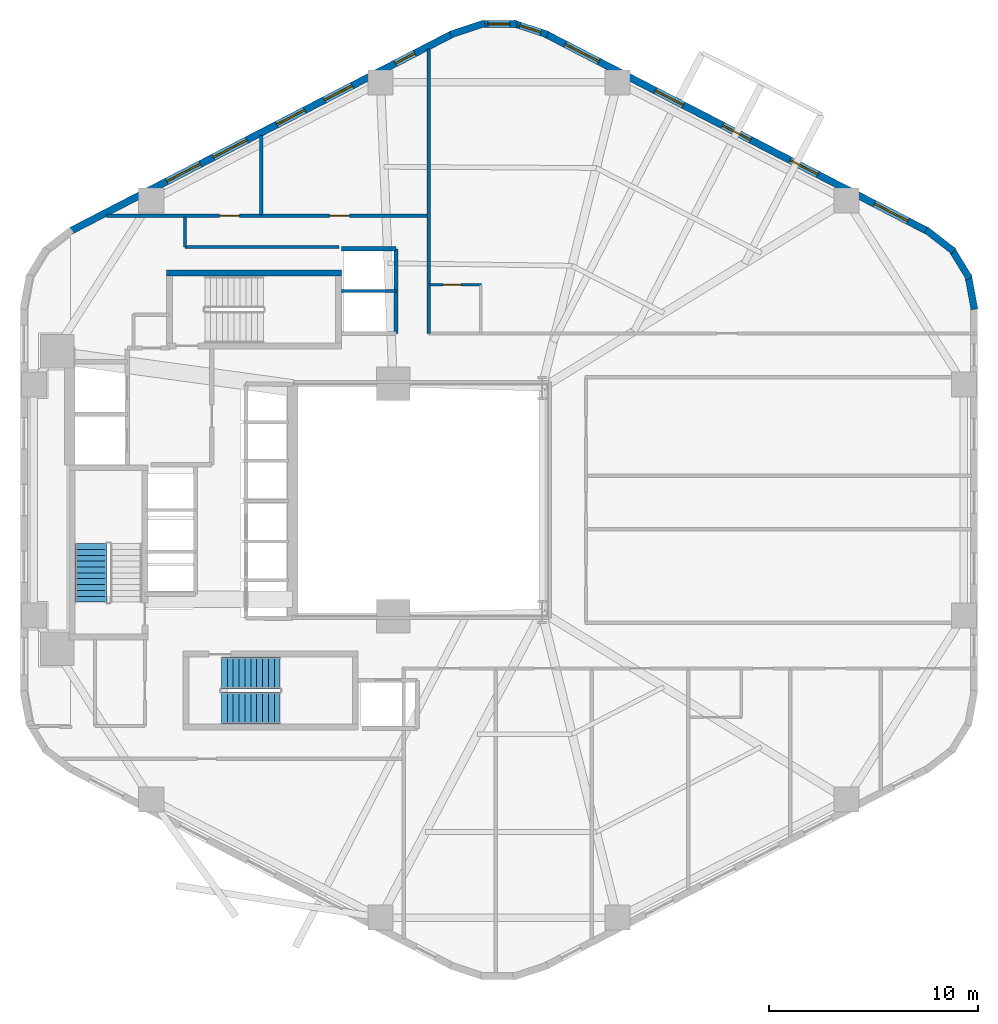
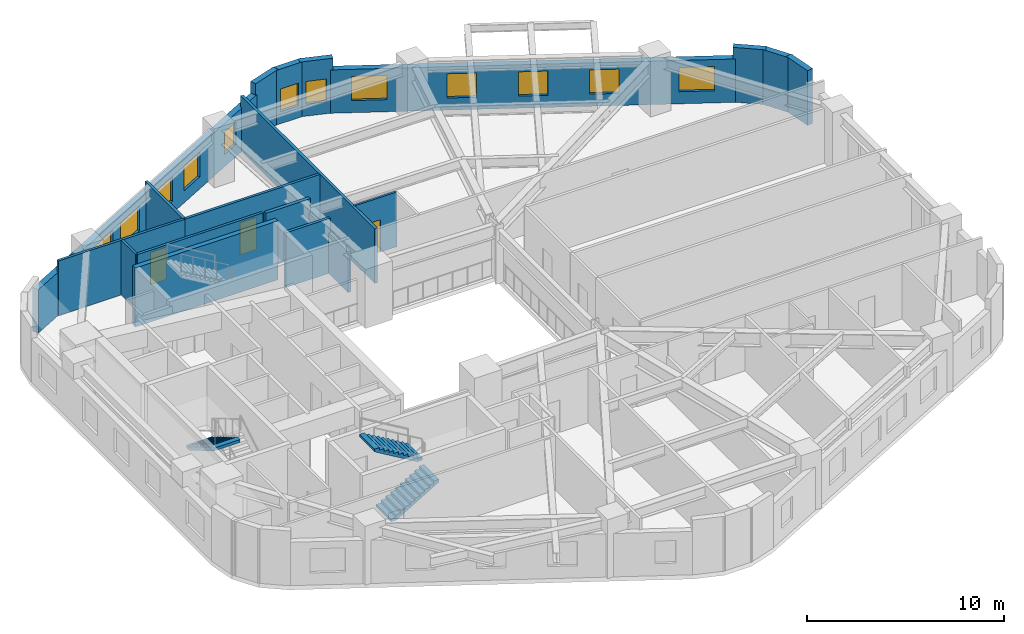
# One storey, part 5 of 7: 19 walls, 12 windows, 3 doors, 3 stair flights, 15 openings, 2 elements without a shape of their own.
"""IFC4 building model written with IfcOpenShell, lengths in metres."""

from ifc_helpers import new_model, si_unit, direction, frame, frame_2d, origin, place, context, subcontext, project, spatial, polyline, rectangle, outline, extrude, material, layer, layer_set, type_object, element, fill, aggregate, save


model = new_model("IFC4")

# Units and contexts
model_context = context("Model", 3, precision=1e-05, world=origin(), true_north=direction((0.0, 1.0)))
body_context = subcontext(model_context, "Body", "Model", "MODEL_VIEW")
ifc_project = project(units=[si_unit("LENGTHUNIT", "METRE"), si_unit("AREAUNIT", "SQUARE_METRE"), si_unit("VOLUMEUNIT", "CUBIC_METRE"), si_unit("PLANEANGLEUNIT", "RADIAN"), si_unit("MASSUNIT", "GRAM", prefix="KILO"), si_unit("THERMODYNAMICTEMPERATUREUNIT", "KELVIN"), si_unit("POWERUNIT", "WATT")], contexts=[model_context])

# Site, building, storey
site_placement = place(None, origin())
site = spatial("IfcSite", under=ifc_project, at=site_placement, CompositionType="ELEMENT")
building_placement = place(site_placement, origin())
building = spatial("IfcBuilding", under=site, at=building_placement, Name="Skarre Station Tower", CompositionType="ELEMENT")
storey_placement = place(building_placement, frame((0.0, 0.0, 78.10009765625)))
storey = spatial("IfcBuildingStorey", under=building, at=storey_placement, Name="L20", CompositionType="ELEMENT", Elevation=78.10009765625)

# Wall, opening, door
ifc_material_1 = material(Name="Acoustic Steel-Stud Gypsum Partition", Category="steel")
ifc_layer_1 = layer(ifc_material_1, 0.14990234375, Name="Acoustic Steel-Stud Gypsum Partition")
ifc_layer_set_1 = layer_set([ifc_layer_1], Name="Acoustic Steel-Stud Gypsum Partition")
wall_type_1 = type_object("IfcWallType", Name="Fire-Rated Corridor Acoustic Partition 150", PredefinedType="PARTITIONING", material=ifc_layer_set_1)
wall_1_placement = place(storey_placement, frame((26.048095703125, 37.580078125, 0.0), z_axis=(0.0, 0.0, 1.0), x_axis=(-1.0, 0.0, 0.0)))
wall_1 = element("IfcWall", 1, at=wall_1_placement, inside=storey, type_object=wall_type_1, Name="L20 Interior Partition WL-PT-L20-NWW1-CW", PredefinedType="PARTITIONING", context=body_context, shape_type="SweptSolid", body=[
    extrude(rectangle(XDim=7.398193359375, YDim=0.14990234375, at=frame_2d((3.69921875, 0.0))), origin(), (0.0, 0.0, 1.0), 3.389892578125),
])
opening_1_placement = place(wall_1_placement, frame((1.035888671875, 0.0, 0.0)))
opening_1 = element("IfcOpeningElement", 2, at=opening_1_placement, cuts=wall_1, Name="Opening DR-FD60", PredefinedType="OPENING", context=body_context, shape_type="SweptSolid", body=[
    extrude(rectangle(XDim=0.9599609375, YDim=2.0, at=frame_2d((0.47998046875, 1.0))), frame((0.0, 0.0849609375, 0.0), z_axis=(0.0, -1.0, 0.0), x_axis=(1.0, 0.0, 0.0)), (0.0, 0.0, 1.0), 0.169921875),
])
ifc_material_2 = material(Name="Nordic White-Oak Veneer Solid-Core Fire Leaf", Category="wood")
door_type_1 = type_object("IfcDoorType", Name="Corridor Suite Entry Fire Door FD60 960x2150", OperationType="SINGLE_SWING_LEFT", PredefinedType="DOOR", material=ifc_material_2)
door_1_placement = place(opening_1_placement, origin())
door_1 = element("IfcDoor", 3, at=door_1_placement, inside=storey, type_object=door_type_1, Name="L20 NWW1 Entry Door", OperationType="SINGLE_SWING_LEFT", OverallHeight=2.0, OverallWidth=0.9599609375, PredefinedType="DOOR", context=body_context, shape_type="SweptSolid", body=[
    extrude(rectangle(XDim=0.9599609375, YDim=2.0, at=frame_2d((0.47998046875, 1.0))), frame((0.0, 0.02490234375, 0.0), z_axis=(0.0, -1.0, 0.0), x_axis=(1.0, 0.0, 0.0)), (0.0, 0.0, 1.0), 0.050048828125),
])
fill(opening_1, door_1)

wall_2_placement = place(storey_placement, frame((33.9619140625, 37.580078125, 0.0), z_axis=(0.0, 0.0, 1.0), x_axis=(-1.0, 0.0, 0.0)))
wall_2 = element("IfcWall", 4, at=wall_2_placement, inside=storey, type_object=wall_type_1, Name="L20 Interior Partition WL-PT-L20-NWW2-CW", PredefinedType="PARTITIONING", context=body_context, shape_type="SweptSolid", body=[
    extrude(rectangle(XDim=7.90380859375, YDim=0.14990234375, at=frame_2d((3.951904296875, 0.0))), origin(), (0.0, 0.0, 1.0), 3.389892578125),
])
opening_2_placement = place(wall_2_placement, frame((3.697021484375, 0.0, 0.0)))
opening_2 = element("IfcOpeningElement", 5, at=opening_2_placement, cuts=wall_2, Name="Opening DR-FD60", PredefinedType="OPENING", context=body_context, shape_type="SweptSolid", body=[
    extrude(rectangle(XDim=0.9599609375, YDim=2.0, at=frame_2d((0.47998046875, 1.0))), frame((0.0, 0.0849609375, 0.0), z_axis=(0.0, -1.0, 0.0), x_axis=(1.0, 0.0, 0.0)), (0.0, 0.0, 1.0), 0.169921875),
])
door_2_placement = place(opening_2_placement, origin())
door_2 = element("IfcDoor", 6, at=door_2_placement, inside=storey, type_object=door_type_1, Name="L20 NWW2 Entry Door", OperationType="SINGLE_SWING_LEFT", OverallHeight=2.0, OverallWidth=0.9599609375, PredefinedType="DOOR", context=body_context, shape_type="SweptSolid", body=[
    extrude(rectangle(XDim=0.9599609375, YDim=2.0, at=frame_2d((0.47998046875, 1.0))), frame((0.0, 0.02490234375, 0.0), z_axis=(0.0, -1.0, 0.0), x_axis=(1.0, 0.0, 0.0)), (0.0, 0.0, 1.0), 0.050048828125),
])
fill(opening_2, door_2)

# Walls
wall_3_placement = place(storey_placement, frame((29.7529296875, 36.080078125, 0.0), z_axis=(0.0, 0.0, 1.0), x_axis=(-1.0, 0.0, 0.0)))
element("IfcWall", 7, at=wall_3_placement, inside=storey, type_object=wall_type_1, Name="L20 Interior Partition WL-PT-L20-CSEAL-1", PredefinedType="PARTITIONING", context=body_context, shape_type="SweptSolid", body=[
    extrude(rectangle(XDim=7.35302734375, YDim=0.14990234375, at=frame_2d((3.676513671875, 0.0))), origin(), (0.0, 0.0, 1.0), 3.389892578125),
])
wall_4_placement = place(storey_placement, frame((22.39990234375, 36.080078125, 0.0), z_axis=(0.0, 0.0, 1.0), x_axis=(0.0, 1.0, 0.0)))
element("IfcWall", 8, at=wall_4_placement, inside=storey, type_object=wall_type_1, Name="L20 Interior Partition WL-PT-L20-CSEAL-2", PredefinedType="PARTITIONING", context=body_context, shape_type="SweptSolid", body=[
    extrude(rectangle(XDim=1.429931640625, YDim=0.14990234375, at=frame_2d((0.71484375, 0.0))), origin(), (0.0, 0.0, 1.0), 3.389892578125),
])

# Wall, opening, door
ifc_material_3 = material(Name="Insulated Timber-Stud Gypsum Partition", Category="wood")
ifc_layer_2 = layer(ifc_material_3, 0.1201171875, Name="Insulated Timber-Stud Gypsum Partition")
ifc_layer_set_2 = layer_set([ifc_layer_2], Name="Insulated Timber-Stud Gypsum Partition")
wall_type_2 = type_object("IfcWallType", Name="Internal Suite Acoustic Partition 120", PredefinedType="PARTITIONING", material=ifc_layer_set_2)
wall_5_placement = place(storey_placement, frame((34.080078125, 34.280029296875, 0.0), z_axis=(0.0, 0.0, 1.0), x_axis=(1.0, 0.0, 0.0)))
wall_5 = element("IfcWall", 9, at=wall_5_placement, inside=storey, type_object=wall_type_2, Name="L20 Interior Partition WL-PT-L20-NW1-SA1", PredefinedType="PARTITIONING", context=body_context, shape_type="SweptSolid", body=[
    extrude(rectangle(XDim=2.47998046875, YDim=0.1201171875, at=frame_2d((1.239990234375, 0.0))), origin(), (0.0, 0.0, 1.0), 3.389892578125),
])
opening_3_placement = place(wall_5_placement, frame((0.64990234375, 0.0, 0.0)))
opening_3 = element("IfcOpeningElement", 10, at=opening_3_placement, cuts=wall_5, Name="Opening DR-INT86", PredefinedType="OPENING", context=body_context, shape_type="SweptSolid", body=[
    extrude(rectangle(XDim=0.860107421875, YDim=2.0, at=frame_2d((0.43017578125, 1.0))), frame((0.0, 0.070068359375, 0.0), z_axis=(0.0, -1.0, 0.0), x_axis=(1.0, 0.0, 0.0)), (0.0, 0.0, 1.0), 0.14013671875),
])
ifc_material_4 = material(Name="Nordic Birch Acoustic Solid-Core Timber Leaf", Category="wood")
door_type_2 = type_object("IfcDoorType", Name="Internal En-Suite & Bedroom Door 860x2100", OperationType="SINGLE_SWING_LEFT", PredefinedType="DOOR", material=ifc_material_4)
door_3_placement = place(opening_3_placement, origin())
door_3 = element("IfcDoor", 11, at=door_3_placement, inside=storey, type_object=door_type_2, Name="L20 NW1 Alcove Store Door", OperationType="SINGLE_SWING_LEFT", OverallHeight=2.0, OverallWidth=0.860107421875, PredefinedType="DOOR", context=body_context, shape_type="SweptSolid", body=[
    extrude(rectangle(XDim=0.860107421875, YDim=2.0, at=frame_2d((0.43017578125, 1.0))), frame((0.0, 0.02490234375, 0.0), z_axis=(0.0, -1.0, 0.0), x_axis=(1.0, 0.0, 0.0)), (0.0, 0.0, 1.0), 0.050048828125),
])
fill(opening_3, door_3)

# Wall, openings, windows
ifc_material_5 = material(Name="Precast concrete C45/55", Category="concrete")
ifc_layer_3 = layer(ifc_material_5, 0.340087890625, Name="Precast concrete C45/55")
ifc_layer_set_3 = layer_set([ifc_layer_3], Name="Precast concrete C45/55")
wall_type_3 = type_object("IfcWallType", Name="Nordic Honed Precast Facet Wall 340", PredefinedType="STANDARD", material=ifc_layer_set_3)
wall_6_placement = place(storey_placement, frame((39.631103515625, 46.257080078125, 0.0), z_axis=(0.0, 0.0, 1.0), x_axis=(0.888634413993, -0.458616264721, 0.0)))
wall_6 = element("IfcWall", 12, at=wall_6_placement, inside=storey, type_object=wall_type_3, Name="L20 Facet 0 Nordic Precast Masonry Wall", PredefinedType="STANDARD", context=body_context, shape_type="SweptSolid", body=[
    extrude(rectangle(XDim=20.53125, YDim=0.340087890625, at=frame_2d((10.265625, 0.0))), origin(), (0.0, 0.0, 1.0), 2.683837890625),
])
opening_4_placement = place(wall_6_placement, frame((1.05810546875, 0.0, 0.75)))
opening_4 = element("IfcOpeningElement", 13, at=opening_4_placement, cuts=wall_6, Name="Opening WN-Z1A", PredefinedType="OPENING", context=body_context, shape_type="SweptSolid", body=[
    extrude(rectangle(XDim=1.800048828125, YDim=1.5, at=frame_2d((0.89990234375, 0.75))), frame((0.0, 0.179931640625, 0.0), z_axis=(0.0, -1.0, 0.0), x_axis=(1.0, 0.0, 0.0)), (0.0, 0.0, 1.0), 0.360107421875),
])
opening_5_placement = place(wall_6_placement, frame((5.903076171875, 0.0, 0.75)))
opening_5 = element("IfcOpeningElement", 14, at=opening_5_placement, cuts=wall_6, Name="Opening WN-Z1B", PredefinedType="OPENING", context=body_context, shape_type="SweptSolid", body=[
    extrude(rectangle(XDim=1.5, YDim=1.5, at=frame_2d((0.75, 0.75))), frame((0.0, 0.179931640625, 0.0), z_axis=(0.0, -1.0, 0.0), x_axis=(1.0, 0.0, 0.0)), (0.0, 0.0, 1.0), 0.360107421875),
])
opening_6_placement = place(wall_6_placement, frame((9.51611328125, 0.0, 0.75)))
opening_6 = element("IfcOpeningElement", 15, at=opening_6_placement, cuts=wall_6, Name="Opening WN-Z1B", PredefinedType="OPENING", context=body_context, shape_type="SweptSolid", body=[
    extrude(rectangle(XDim=1.5, YDim=1.5, at=frame_2d((0.75, 0.75))), frame((0.0, 0.179931640625, 0.0), z_axis=(0.0, -1.0, 0.0), x_axis=(1.0, 0.0, 0.0)), (0.0, 0.0, 1.0), 0.360107421875),
])
opening_7_placement = place(wall_6_placement, frame((13.12890625, 0.0, 0.75)))
opening_7 = element("IfcOpeningElement", 16, at=opening_7_placement, cuts=wall_6, Name="Opening WN-Z1B", PredefinedType="OPENING", context=body_context, shape_type="SweptSolid", body=[
    extrude(rectangle(XDim=1.5, YDim=1.5, at=frame_2d((0.75, 0.75))), frame((0.0, 0.179931640625, 0.0), z_axis=(0.0, -1.0, 0.0), x_axis=(1.0, 0.0, 0.0)), (0.0, 0.0, 1.0), 0.360107421875),
])
opening_8_placement = place(wall_6_placement, frame((17.673095703125, 0.0, 0.75)))
opening_8 = element("IfcOpeningElement", 17, at=opening_8_placement, cuts=wall_6, Name="Opening WN-Z1A", PredefinedType="OPENING", context=body_context, shape_type="SweptSolid", body=[
    extrude(rectangle(XDim=1.800048828125, YDim=1.5, at=frame_2d((0.89990234375, 0.75))), frame((0.0, 0.179931640625, 0.0), z_axis=(0.0, -1.0, 0.0), x_axis=(1.0, 0.0, 0.0)), (0.0, 0.0, 1.0), 0.360107421875),
])
ifc_material_6 = material(Name="Low-Iron Triple Glazing with Bronze Anodized Frame", Category="glass")
window_type_1 = type_object("IfcWindowType", Name="Nordic Punched Triple-Glazed Window 1500x1500", PartitioningType="SINGLE_PANEL", PredefinedType="WINDOW", material=ifc_material_6)
window_1_placement = place(opening_5_placement, origin())
window_1 = element("IfcWindow", 18, at=window_1_placement, inside=storey, type_object=window_type_1, Name="L20 Facade Window WL-FAC-L20-F0-2", OverallHeight=1.5, OverallWidth=1.5, PartitioningType="SINGLE_PANEL", PredefinedType="WINDOW", context=body_context, shape_type="SweptSolid", body=[
    extrude(rectangle(XDim=1.5, YDim=1.5, at=frame_2d((0.75, 0.75))), frame((0.0, 0.030029296875, 0.0), z_axis=(0.0, -1.0, 0.0), x_axis=(1.0, 0.0, 0.0)), (0.0, 0.0, 1.0), 0.06005859375),
])
fill(opening_5, window_1)
window_2_placement = place(opening_6_placement, origin())
window_2 = element("IfcWindow", 19, at=window_2_placement, inside=storey, type_object=window_type_1, Name="L20 Facade Window WL-FAC-L20-F0-3", OverallHeight=1.5, OverallWidth=1.5, PartitioningType="SINGLE_PANEL", PredefinedType="WINDOW", context=body_context, shape_type="SweptSolid", body=[
    extrude(rectangle(XDim=1.5, YDim=1.5, at=frame_2d((0.75, 0.75))), frame((0.0, 0.030029296875, 0.0), z_axis=(0.0, -1.0, 0.0), x_axis=(1.0, 0.0, 0.0)), (0.0, 0.0, 1.0), 0.06005859375),
])
fill(opening_6, window_2)
window_3_placement = place(opening_7_placement, origin())
window_3 = element("IfcWindow", 20, at=window_3_placement, inside=storey, type_object=window_type_1, Name="L20 Facade Window WL-FAC-L20-F0-4", OverallHeight=1.5, OverallWidth=1.5, PartitioningType="SINGLE_PANEL", PredefinedType="WINDOW", context=body_context, shape_type="SweptSolid", body=[
    extrude(rectangle(XDim=1.5, YDim=1.5, at=frame_2d((0.75, 0.75))), frame((0.0, 0.030029296875, 0.0), z_axis=(0.0, -1.0, 0.0), x_axis=(1.0, 0.0, 0.0)), (0.0, 0.0, 1.0), 0.06005859375),
])
fill(opening_7, window_3)
window_type_2 = type_object("IfcWindowType", Name="Nordic Punched Triple-Glazed Window 1800x1500", PartitioningType="SINGLE_PANEL", PredefinedType="WINDOW", material=ifc_material_6)
window_4_placement = place(opening_4_placement, origin())
window_4 = element("IfcWindow", 21, at=window_4_placement, inside=storey, type_object=window_type_2, Name="L20 Facade Window WL-FAC-L20-F0-1", OverallHeight=1.5, OverallWidth=1.800048828125, PartitioningType="SINGLE_PANEL", PredefinedType="WINDOW", context=body_context, shape_type="SweptSolid", body=[
    extrude(rectangle(XDim=1.800048828125, YDim=1.5, at=frame_2d((0.89990234375, 0.75))), frame((0.0, 0.030029296875, 0.0), z_axis=(0.0, -1.0, 0.0), x_axis=(1.0, 0.0, 0.0)), (0.0, 0.0, 1.0), 0.06005859375),
])
fill(opening_4, window_4)
window_5_placement = place(opening_8_placement, origin())
window_5 = element("IfcWindow", 22, at=window_5_placement, inside=storey, type_object=window_type_2, Name="L20 Facade Window WL-FAC-L20-F0-5", OverallHeight=1.5, OverallWidth=1.800048828125, PartitioningType="SINGLE_PANEL", PredefinedType="WINDOW", context=body_context, shape_type="SweptSolid", body=[
    extrude(rectangle(XDim=1.800048828125, YDim=1.5, at=frame_2d((0.89990234375, 0.75))), frame((0.0, 0.030029296875, 0.0), z_axis=(0.0, -1.0, 0.0), x_axis=(1.0, 0.0, 0.0)), (0.0, 0.0, 1.0), 0.06005859375),
])
fill(opening_8, window_5)

wall_7_placement = place(storey_placement, frame((16.924072265625, 36.841064453125, 0.0), z_axis=(0.0, 0.0, 1.0), x_axis=(0.888634413993, 0.458616264721, 0.0)))
wall_7 = element("IfcWall", 23, at=wall_7_placement, inside=storey, type_object=wall_type_3, Name="L20 Facet 1 Nordic Precast Masonry Wall", PredefinedType="STANDARD", context=body_context, shape_type="SweptSolid", body=[
    extrude(rectangle(XDim=20.53125, YDim=0.340087890625, at=frame_2d((10.265625, 0.0))), origin(), (0.0, 0.0, 1.0), 2.683837890625),
])
opening_9_placement = place(wall_7_placement, frame((5.197021484375, 0.0, 0.75)))
opening_9 = element("IfcOpeningElement", 24, at=opening_9_placement, cuts=wall_7, Name="Opening WN-Z1A", PredefinedType="OPENING", context=body_context, shape_type="SweptSolid", body=[
    extrude(rectangle(XDim=1.800048828125, YDim=1.5, at=frame_2d((0.89990234375, 0.75))), frame((0.0, 0.179931640625, 0.0), z_axis=(0.0, -1.0, 0.0), x_axis=(1.0, 0.0, 0.0)), (0.0, 0.0, 1.0), 0.360107421875),
])
opening_10_placement = place(wall_7_placement, frame((7.697998046875, 0.0, 0.75)))
opening_10 = element("IfcOpeningElement", 25, at=opening_10_placement, cuts=wall_7, Name="Opening WN-Z1A", PredefinedType="OPENING", context=body_context, shape_type="SweptSolid", body=[
    extrude(rectangle(XDim=1.800048828125, YDim=1.5, at=frame_2d((0.89990234375, 0.75))), frame((0.0, 0.179931640625, 0.0), z_axis=(0.0, -1.0, 0.0), x_axis=(1.0, 0.0, 0.0)), (0.0, 0.0, 1.0), 0.360107421875),
])
opening_11_placement = place(wall_7_placement, frame((11.10107421875, 0.0, 0.75)))
opening_11 = element("IfcOpeningElement", 26, at=opening_11_placement, cuts=wall_7, Name="Opening WN-Z1B", PredefinedType="OPENING", context=body_context, shape_type="SweptSolid", body=[
    extrude(rectangle(XDim=1.5, YDim=1.5, at=frame_2d((0.75, 0.75))), frame((0.0, 0.179931640625, 0.0), z_axis=(0.0, -1.0, 0.0), x_axis=(1.0, 0.0, 0.0)), (0.0, 0.0, 1.0), 0.360107421875),
])
opening_12_placement = place(wall_7_placement, frame((13.656982421875, 0.0, 0.75)))
opening_12 = element("IfcOpeningElement", 27, at=opening_12_placement, cuts=wall_7, Name="Opening WN-Z1B", PredefinedType="OPENING", context=body_context, shape_type="SweptSolid", body=[
    extrude(rectangle(XDim=1.5, YDim=1.5, at=frame_2d((0.75, 0.75))), frame((0.0, 0.179931640625, 0.0), z_axis=(0.0, -1.0, 0.0), x_axis=(1.0, 0.0, 0.0)), (0.0, 0.0, 1.0), 0.360107421875),
])
opening_13_placement = place(wall_7_placement, frame((17.47607421875, 0.0, 0.75)))
opening_13 = element("IfcOpeningElement", 28, at=opening_13_placement, cuts=wall_7, Name="Opening WN-SLT", PredefinedType="OPENING", context=body_context, shape_type="SweptSolid", body=[
    extrude(rectangle(XDim=1.050048828125, YDim=1.39990234375, at=frame_2d((0.52490234375, 0.699951171875))), frame((0.0, 0.179931640625, 0.0), z_axis=(0.0, -1.0, 0.0), x_axis=(1.0, 0.0, 0.0)), (0.0, 0.0, 1.0), 0.360107421875),
])
window_type_3 = type_object("IfcWindowType", Name="Nordic Corner Slot Window 1050x1400", PartitioningType="SINGLE_PANEL", PredefinedType="WINDOW", material=ifc_material_6)
window_6_placement = place(opening_13_placement, origin())
window_6 = element("IfcWindow", 29, at=window_6_placement, inside=storey, type_object=window_type_3, Name="L20 Facade Window WL-FAC-L20-F1-5", OverallHeight=1.39990234375, OverallWidth=1.050048828125, PartitioningType="SINGLE_PANEL", PredefinedType="WINDOW", context=body_context, shape_type="SweptSolid", body=[
    extrude(rectangle(XDim=1.050048828125, YDim=1.39990234375, at=frame_2d((0.52490234375, 0.699951171875))), frame((0.0, 0.030029296875, 0.0), z_axis=(0.0, -1.0, 0.0), x_axis=(1.0, 0.0, 0.0)), (0.0, 0.0, 1.0), 0.06005859375),
])
fill(opening_13, window_6)
window_7_placement = place(opening_11_placement, origin())
window_7 = element("IfcWindow", 30, at=window_7_placement, inside=storey, type_object=window_type_1, Name="L20 Facade Window WL-FAC-L20-F1-3", OverallHeight=1.5, OverallWidth=1.5, PartitioningType="SINGLE_PANEL", PredefinedType="WINDOW", context=body_context, shape_type="SweptSolid", body=[
    extrude(rectangle(XDim=1.5, YDim=1.5, at=frame_2d((0.75, 0.75))), frame((0.0, 0.030029296875, 0.0), z_axis=(0.0, -1.0, 0.0), x_axis=(1.0, 0.0, 0.0)), (0.0, 0.0, 1.0), 0.06005859375),
])
fill(opening_11, window_7)
window_8_placement = place(opening_12_placement, origin())
window_8 = element("IfcWindow", 31, at=window_8_placement, inside=storey, type_object=window_type_1, Name="L20 Facade Window WL-FAC-L20-F1-4", OverallHeight=1.5, OverallWidth=1.5, PartitioningType="SINGLE_PANEL", PredefinedType="WINDOW", context=body_context, shape_type="SweptSolid", body=[
    extrude(rectangle(XDim=1.5, YDim=1.5, at=frame_2d((0.75, 0.75))), frame((0.0, 0.030029296875, 0.0), z_axis=(0.0, -1.0, 0.0), x_axis=(1.0, 0.0, 0.0)), (0.0, 0.0, 1.0), 0.06005859375),
])
fill(opening_12, window_8)
window_9_placement = place(opening_9_placement, origin())
window_9 = element("IfcWindow", 32, at=window_9_placement, inside=storey, type_object=window_type_2, Name="L20 Facade Window WL-FAC-L20-F1-1", OverallHeight=1.5, OverallWidth=1.800048828125, PartitioningType="SINGLE_PANEL", PredefinedType="WINDOW", context=body_context, shape_type="SweptSolid", body=[
    extrude(rectangle(XDim=1.800048828125, YDim=1.5, at=frame_2d((0.89990234375, 0.75))), frame((0.0, 0.030029296875, 0.0), z_axis=(0.0, -1.0, 0.0), x_axis=(1.0, 0.0, 0.0)), (0.0, 0.0, 1.0), 0.06005859375),
])
fill(opening_9, window_9)
window_10_placement = place(opening_10_placement, origin())
window_10 = element("IfcWindow", 33, at=window_10_placement, inside=storey, type_object=window_type_2, Name="L20 Facade Window WL-FAC-L20-F1-2", OverallHeight=1.5, OverallWidth=1.800048828125, PartitioningType="SINGLE_PANEL", PredefinedType="WINDOW", context=body_context, shape_type="SweptSolid", body=[
    extrude(rectangle(XDim=1.800048828125, YDim=1.5, at=frame_2d((0.89990234375, 0.75))), frame((0.0, 0.030029296875, 0.0), z_axis=(0.0, -1.0, 0.0), x_axis=(1.0, 0.0, 0.0)), (0.0, 0.0, 1.0), 0.06005859375),
])
fill(opening_10, window_10)

# Walls
ifc_layer_4 = layer(ifc_material_5, 0.330078125, Name="Precast concrete C45/55")
ifc_layer_set_4 = layer_set([ifc_layer_4], Name="Precast concrete C45/55")
wall_type_4 = type_object("IfcWallType", Name="Nordic Rounded Corner Precast Wall 330", PredefinedType="STANDARD", material=ifc_layer_set_4)
wall_8_placement = place(storey_placement, frame((57.802001953125, 36.90087890625, 0.0), z_axis=(0.0, 0.0, 1.0), x_axis=(0.790691856293, -0.61221433207, 0.0)))
element("IfcWall", 34, at=wall_8_placement, inside=storey, type_object=wall_type_4, Name="L20 Rounded Corner Precast Wall F0-1", PredefinedType="STANDARD", context=body_context, shape_type="SweptSolid", body=[
    extrude(rectangle(XDim=1.67578125, YDim=0.330078125, at=frame_2d((0.837890625, 0.0))), origin(), (0.0, 0.0, 1.0), 3.389892578125),
])
wall_9_placement = place(storey_placement, frame((59.001953125, 36.014892578125, 0.0), z_axis=(0.0, 0.0, 1.0), x_axis=(0.520584129191, -0.853810379671, 0.0)))
element("IfcWall", 35, at=wall_9_placement, inside=storey, type_object=wall_type_4, Name="L20 Rounded Corner Precast Wall F0-2", PredefinedType="STANDARD", context=body_context, shape_type="SweptSolid", body=[
    extrude(rectangle(XDim=1.677001953125, YDim=0.330078125, at=frame_2d((0.83837890625, 0.0))), origin(), (0.0, 0.0, 1.0), 3.389892578125),
])
wall_10_placement = place(storey_placement, frame((59.80810546875, 34.758056640625, 0.0), z_axis=(0.0, 0.0, 1.0), x_axis=(0.181714143354, -0.983351397063, 0.0)))
element("IfcWall", 36, at=wall_10_placement, inside=storey, type_object=wall_type_4, Name="L20 Rounded Corner Precast Wall F0-3", PredefinedType="STANDARD", context=body_context, shape_type="SweptSolid", body=[
    extrude(rectangle(XDim=1.677978515625, YDim=0.330078125, at=frame_2d((0.8388671875, 0.0))), origin(), (0.0, 0.0, 1.0), 3.389892578125),
])
wall_11_placement = place(storey_placement, frame((35.0810546875, 46.23095703125, 0.0), z_axis=(0.0, 0.0, 1.0), x_axis=(0.94976901097, 0.312951794691, 0.0)))
element("IfcWall", 37, at=wall_11_placement, inside=storey, type_object=wall_type_4, Name="L20 Rounded Corner Precast Wall F1-1", PredefinedType="STANDARD", context=body_context, shape_type="SweptSolid", body=[
    extrude(rectangle(XDim=1.722412109375, YDim=0.330078125, at=frame_2d((0.861328125, 0.0))), origin(), (0.0, 0.0, 1.0), 3.389892578125),
])

# Wall, opening, window
wall_12_placement = place(storey_placement, frame((36.5390625, 46.740966796875, 0.0), z_axis=(0.0, 0.0, 1.0), x_axis=(1.0, 0.0, 0.0)))
wall_12 = element("IfcWall", 38, at=wall_12_placement, inside=storey, type_object=wall_type_4, Name="L20 Rounded Corner Precast Wall F1-2", PredefinedType="STANDARD", context=body_context, shape_type="SweptSolid", body=[
    extrude(rectangle(XDim=1.721923828125, YDim=0.330078125, at=frame_2d((0.86083984375, 0.0))), origin(), (0.0, 0.0, 1.0), 3.389892578125),
])
opening_14_placement = place(wall_12_placement, frame((0.3359375, 0.0, 0.75)))
opening_14 = element("IfcOpeningElement", 39, at=opening_14_placement, cuts=wall_12, Name="Opening WN-SLT", PredefinedType="OPENING", context=body_context, shape_type="SweptSolid", body=[
    extrude(rectangle(XDim=1.050048828125, YDim=1.39990234375, at=frame_2d((0.52490234375, 0.699951171875))), frame((0.0, 0.175048828125, 0.0), z_axis=(0.0, -1.0, 0.0), x_axis=(1.0, 0.0, 0.0)), (0.0, 0.0, 1.0), 0.35009765625),
])
window_11_placement = place(opening_14_placement, origin())
window_11 = element("IfcWindow", 40, at=window_11_placement, inside=storey, type_object=window_type_3, Name="L20 Apex Corner Slot Window F1-2", OverallHeight=1.39990234375, OverallWidth=1.050048828125, PartitioningType="SINGLE_PANEL", PredefinedType="WINDOW", context=body_context, shape_type="SweptSolid", body=[
    extrude(rectangle(XDim=1.050048828125, YDim=1.39990234375, at=frame_2d((0.52490234375, 0.699951171875))), frame((0.0, 0.030029296875, 0.0), z_axis=(0.0, -1.0, 0.0), x_axis=(1.0, 0.0, 0.0)), (0.0, 0.0, 1.0), 0.06005859375),
])
fill(opening_14, window_11)

wall_13_placement = place(storey_placement, frame((38.0830078125, 46.77001953125, 0.0), z_axis=(0.0, 0.0, 1.0), x_axis=(0.94976901097, -0.312951794691, 0.0)))
wall_13 = element("IfcWall", 41, at=wall_13_placement, inside=storey, type_object=wall_type_4, Name="L20 Rounded Corner Precast Wall F1-3", PredefinedType="STANDARD", context=body_context, shape_type="SweptSolid", body=[
    extrude(rectangle(XDim=1.722412109375, YDim=0.330078125, at=frame_2d((0.861328125, 0.0))), origin(), (0.0, 0.0, 1.0), 3.389892578125),
])
opening_15_placement = place(wall_13_placement, frame((0.3359375, 0.0, 0.75)))
opening_15 = element("IfcOpeningElement", 42, at=opening_15_placement, cuts=wall_13, Name="Opening WN-SLT", PredefinedType="OPENING", context=body_context, shape_type="SweptSolid", body=[
    extrude(rectangle(XDim=1.050048828125, YDim=1.39990234375, at=frame_2d((0.52490234375, 0.699951171875))), frame((0.0, 0.175048828125, 0.0), z_axis=(0.0, -1.0, 0.0), x_axis=(1.0, 0.0, 0.0)), (0.0, 0.0, 1.0), 0.35009765625),
])
window_12_placement = place(opening_15_placement, origin())
window_12 = element("IfcWindow", 43, at=window_12_placement, inside=storey, type_object=window_type_3, Name="L20 Apex Corner Slot Window F1-3", OverallHeight=1.39990234375, OverallWidth=1.050048828125, PartitioningType="SINGLE_PANEL", PredefinedType="WINDOW", context=body_context, shape_type="SweptSolid", body=[
    extrude(rectangle(XDim=1.050048828125, YDim=1.39990234375, at=frame_2d((0.52490234375, 0.699951171875))), frame((0.0, 0.030029296875, 0.0), z_axis=(0.0, -1.0, 0.0), x_axis=(1.0, 0.0, 0.0)), (0.0, 0.0, 1.0), 0.06005859375),
])
fill(opening_15, window_12)

# Walls
ifc_material_7 = material(Name="Concrete C50/60", Category="concrete")
ifc_layer_5 = layer(ifc_material_7, 0.280029296875, Name="Concrete C50/60")
ifc_layer_set_5 = layer_set([ifc_layer_5], Name="Concrete C50/60")
wall_type_5 = type_object("IfcWallType", Name="RC Core Shear Wall 280", PredefinedType="SHEAR", material=ifc_layer_set_5)
wall_14_placement = place(storey_placement, frame((29.8798828125, 34.840087890625, 0.0), z_axis=(0.0, 0.0, 1.0), x_axis=(-1.0, 0.0, 0.0)))
element("IfcWall", 44, at=wall_14_placement, inside=storey, type_object=wall_type_5, Name="L20 Stair ST-3 North Shear Wall", PredefinedType="SHEAR", context=body_context, shape_type="SweptSolid", body=[
    extrude(rectangle(XDim=8.35986328125, YDim=0.280029296875, at=frame_2d((4.179931640625, 0.0))), origin(), (0.0, 0.0, 1.0), 3.64990234375),
])
ifc_material_8 = material(Name="Gypsum Concrete Shaft Assembly C30/37", Category="concrete")
ifc_layer_6 = layer(ifc_material_8, 0.199951171875, Name="Gypsum Concrete Shaft Assembly C30/37")
ifc_layer_set_6 = layer_set([ifc_layer_6], Name="Gypsum Concrete Shaft Assembly C30/37")
wall_type_6 = type_object("IfcWallType", Name="Shaft & Core Fire Partition 200", PredefinedType="PARTITIONING", material=ifc_layer_set_6)
wall_15_placement = place(storey_placement, frame((32.47998046875, 31.949951171875, 0.0), z_axis=(0.0, 0.0, 1.0), x_axis=(0.0, 1.0, 0.0)))
element("IfcWall", 45, at=wall_15_placement, inside=storey, type_object=wall_type_6, Name="L20 Interior Partition WL-PT-L20-EX-E", PredefinedType="PARTITIONING", context=body_context, shape_type="SweptSolid", body=[
    extrude(rectangle(XDim=4.050048828125, YDim=0.199951171875, at=frame_2d((2.02490234375, 0.0))), origin(), (0.0, 0.0, 1.0), 2.512939453125),
])
wall_16_placement = place(storey_placement, frame((29.8798828125, 36.0, 0.0), z_axis=(0.0, 0.0, 1.0), x_axis=(1.0, 0.0, 0.0)))
element("IfcWall", 46, at=wall_16_placement, inside=storey, type_object=wall_type_6, Name="L20 Interior Partition WL-PT-L20-EX-N", PredefinedType="PARTITIONING", context=body_context, shape_type="SweptSolid", body=[
    extrude(rectangle(XDim=2.60009765625, YDim=0.199951171875, at=frame_2d((1.300048828125, 0.0))), origin(), (0.0, 0.0, 1.0), 3.389892578125),
])
wall_17_placement = place(storey_placement, frame((29.875, 33.97998046875, 0.0), z_axis=(0.0, 0.0, 1.0), x_axis=(1.0, 0.0, 0.0)))
element("IfcWall", 47, at=wall_17_placement, inside=storey, type_object=wall_type_6, Name="L20 Interior Partition WL-PT-L20-EX-DIV", PredefinedType="PARTITIONING", context=body_context, shape_type="SweptSolid", body=[
    extrude(rectangle(XDim=2.60498046875, YDim=0.159912109375, at=frame_2d((1.302490234375, 0.0))), origin(), (0.0, 0.0, 1.0), 3.389892578125),
])
ifc_layer_7 = layer(ifc_material_1, 0.1650390625, Name="Acoustic Steel-Stud Gypsum Partition")
ifc_layer_set_7 = layer_set([ifc_layer_7], Name="Acoustic Steel-Stud Gypsum Partition")
wall_type_7 = type_object("IfcWallType", Name="Suite Demising Acoustic Partition 165", PredefinedType="PARTITIONING", material=ifc_layer_set_7)
wall_18_placement = place(storey_placement, frame((26.052978515625, 37.610107421875, 0.0), z_axis=(0.0, 0.0, 1.0), x_axis=(0.0, 1.0, 0.0)))
element("IfcWall", 48, at=wall_18_placement, inside=storey, type_object=wall_type_7, Name="L20 Interior Partition WL-PT-L20-NWW-P1", PredefinedType="PARTITIONING", context=body_context, shape_type="SweptSolid", body=[
    extrude(rectangle(XDim=3.806884765625, YDim=0.1650390625, at=frame_2d((1.9033203125, 0.0))), origin(), (0.0, 0.0, 1.0), 3.389892578125),
])
wall_19_placement = place(storey_placement, frame((34.0400390625, 31.9599609375, 0.0), z_axis=(0.0, 0.0, 1.0), x_axis=(0.0, 1.0, 0.0)))
element("IfcWall", 49, at=wall_19_placement, inside=storey, type_object=wall_type_7, Name="L20 Interior Partition WL-PT-L20-NW-WBND", PredefinedType="PARTITIONING", context=body_context, shape_type="SweptSolid", body=[
    extrude(rectangle(XDim=13.5791015625, YDim=0.1650390625, at=frame_2d((6.78955078125, 0.0))), origin(), (0.0, 0.0, 1.0), 3.389892578125),
])

# Stair, stair flight
ifc_material_9 = material(Name="Concrete C40/50", Category="concrete")
stair_type_1 = type_object("IfcStairType", Name="Reinforced Concrete Exit Stair ST-1", PredefinedType="HALF_TURN_STAIR", material=ifc_material_9)
stair_1_placement = place(storey_placement, origin())
stair_1 = element("IfcStair", 50, at=stair_1_placement, inside=storey, type_object=stair_type_1, Name="L20 Core Exit Stair ST-1", PredefinedType="HALF_TURN_STAIR")
stair_flight_type_1 = type_object("IfcStairFlightType", Name="Reinforced Concrete Stair Flight ST-1", PredefinedType="STRAIGHT", material=ifc_material_9)
stair_flight_1_placement = place(storey_placement, frame((17.909912109375, 21.919921875, 1.824951171875), z_axis=(0.0, 0.0, 1.0), x_axis=(0.0, -1.0, 0.0)))
stair_flight_1 = element("IfcStairFlight", 51, at=stair_flight_1_placement, type_object=stair_flight_type_1, Name="ST-1 flight 2", NumberOfRisers=11, NumberOfTreads=10, PredefinedType="STRAIGHT", RiserHeight=0.165909091, TreadLength=0.28, context=body_context, shape_type="SweptSolid", body=[
    extrude(outline(polyline([(0.0, 0.0), (0.0, 0.166015625), (0.280029296875, 0.166015625), (0.280029296875, 0.331787109375), (0.56005859375, 0.331787109375), (0.56005859375, 0.497802734375), (0.840087890625, 0.497802734375), (0.840087890625, 0.66357421875), (1.1201171875, 0.66357421875), (1.1201171875, 0.82958984375), (1.39990234375, 0.82958984375), (1.39990234375, 0.995361328125), (1.679931640625, 0.995361328125), (1.679931640625, 1.161376953125), (1.9599609375, 1.161376953125), (1.9599609375, 1.327392578125), (2.239990234375, 1.327392578125), (2.239990234375, 1.4931640625), (2.52001953125, 1.4931640625), (2.52001953125, 1.6591796875), (2.800048828125, 1.6591796875), (2.800048828125, 1.824951171875), (2.800048828125, 1.48486328125), (0.2939453125, 0.0), (0.0, 0.0)])), frame((0.0, 0.760009765625, 0.0), z_axis=(0.0, -1.0, 0.0), x_axis=(1.0, 0.0, 0.0)), (0.0, 0.0, 1.0), 1.52001953125),
])
aggregate(stair_1, [stair_flight_1])

# Stair, stair flights
stair_type_2 = type_object("IfcStairType", Name="Reinforced Concrete Exit Stair ST-2", PredefinedType="HALF_TURN_STAIR", material=ifc_material_9)
stair_2_placement = place(storey_placement, origin())
stair_2 = element("IfcStair", 52, at=stair_2_placement, inside=storey, type_object=stair_type_2, Name="L20 Core Exit Stair ST-2", PredefinedType="HALF_TURN_STAIR")
stair_flight_type_2 = type_object("IfcStairFlightType", Name="Reinforced Concrete Stair Flight ST-2", PredefinedType="STRAIGHT", material=ifc_material_9)
stair_flight_2_placement = place(storey_placement, frame((24.14990234375, 14.06005859375, 0.0), z_axis=(0.0, 0.0, 1.0), x_axis=(1.0, 0.0, 0.0)))
stair_flight_2 = element("IfcStairFlight", 53, at=stair_flight_2_placement, type_object=stair_flight_type_2, Name="ST-2 flight 1", NumberOfRisers=11, NumberOfTreads=10, PredefinedType="STRAIGHT", RiserHeight=0.165909091, TreadLength=0.28, context=body_context, shape_type="SweptSolid", body=[
    extrude(outline(polyline([(0.0, 0.0), (0.0, 0.166015625), (0.280029296875, 0.166015625), (0.280029296875, 0.331787109375), (0.56005859375, 0.331787109375), (0.56005859375, 0.497802734375), (0.840087890625, 0.497802734375), (0.840087890625, 0.66357421875), (1.1201171875, 0.66357421875), (1.1201171875, 0.82958984375), (1.39990234375, 0.82958984375), (1.39990234375, 0.995361328125), (1.679931640625, 0.995361328125), (1.679931640625, 1.161376953125), (1.9599609375, 1.161376953125), (1.9599609375, 1.327392578125), (2.239990234375, 1.327392578125), (2.239990234375, 1.4931640625), (2.52001953125, 1.4931640625), (2.52001953125, 1.6591796875), (2.800048828125, 1.6591796875), (2.800048828125, 1.824951171875), (2.800048828125, 1.48486328125), (0.2939453125, 0.0), (0.0, 0.0)])), frame((0.0, 0.760009765625, 0.0), z_axis=(0.0, -1.0, 0.0), x_axis=(1.0, 0.0, 0.0)), (0.0, 0.0, 1.0), 1.52001953125),
])
stair_flight_3_placement = place(storey_placement, frame((26.949951171875, 15.739990234375, 1.824951171875), z_axis=(0.0, 0.0, 1.0), x_axis=(-1.0, 0.0, 0.0)))
stair_flight_3 = element("IfcStairFlight", 54, at=stair_flight_3_placement, type_object=stair_flight_type_2, Name="ST-2 flight 2", NumberOfRisers=11, NumberOfTreads=10, PredefinedType="STRAIGHT", RiserHeight=0.165909091, TreadLength=0.28, context=body_context, shape_type="SweptSolid", body=[
    extrude(outline(polyline([(0.0, 0.0), (0.0, 0.166015625), (0.280029296875, 0.166015625), (0.280029296875, 0.331787109375), (0.56005859375, 0.331787109375), (0.56005859375, 0.497802734375), (0.840087890625, 0.497802734375), (0.840087890625, 0.66357421875), (1.1201171875, 0.66357421875), (1.1201171875, 0.82958984375), (1.39990234375, 0.82958984375), (1.39990234375, 0.995361328125), (1.679931640625, 0.995361328125), (1.679931640625, 1.161376953125), (1.9599609375, 1.161376953125), (1.9599609375, 1.327392578125), (2.239990234375, 1.327392578125), (2.239990234375, 1.4931640625), (2.52001953125, 1.4931640625), (2.52001953125, 1.6591796875), (2.800048828125, 1.6591796875), (2.800048828125, 1.824951171875), (2.800048828125, 1.48486328125), (0.2939453125, 0.0), (0.0, 0.0)])), frame((0.0, 0.760009765625, 0.0), z_axis=(0.0, -1.0, 0.0), x_axis=(1.0, 0.0, 0.0)), (0.0, 0.0, 1.0), 1.52001953125),
])
aggregate(stair_2, [stair_flight_2, stair_flight_3])

save(model, "model.ifc")
